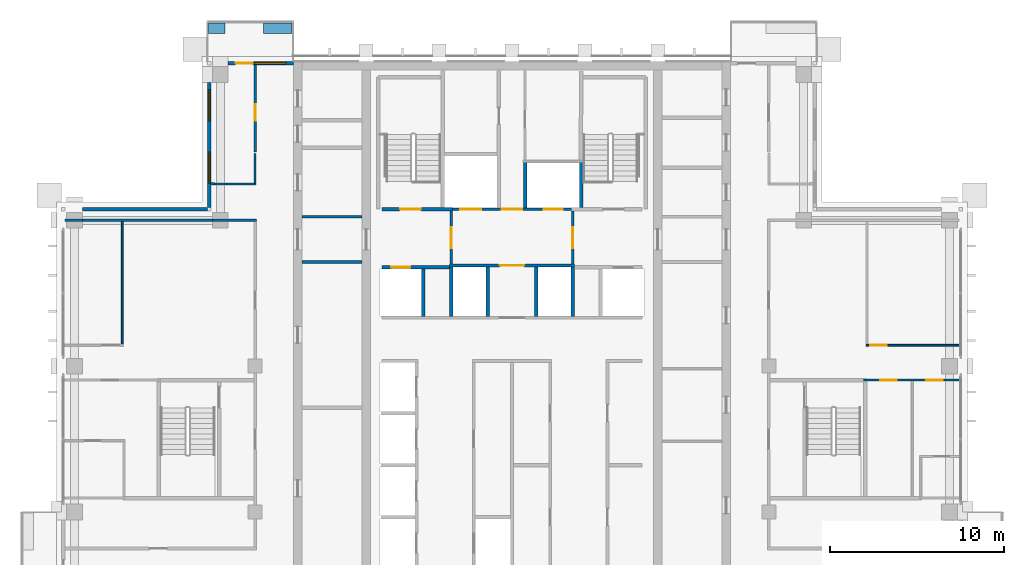
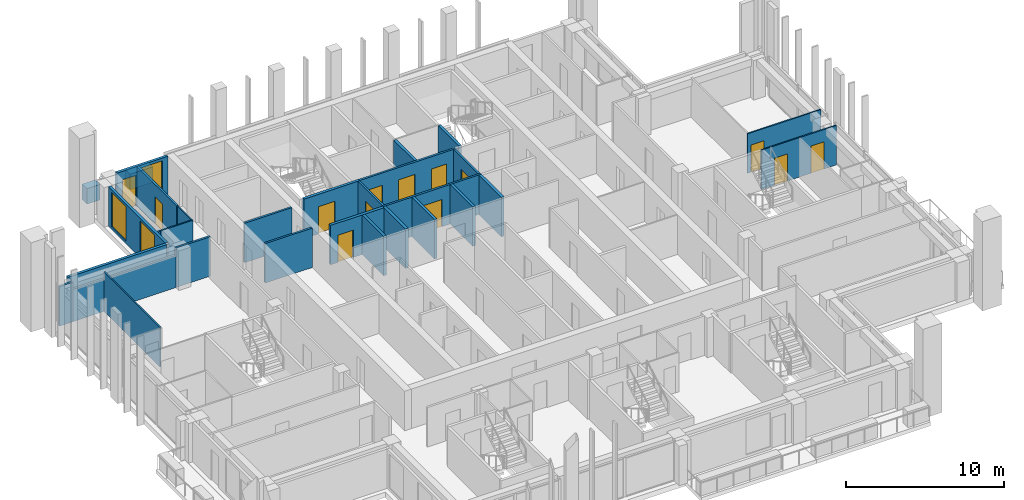
# One storey, part 12 of 18: 30 walls, 13 doors, 3 windows, 16 openings.
"""IFC4 building model written with IfcOpenShell, lengths in metres."""

from ifc_helpers import new_model, si_unit, direction, frame, frame_2d, origin, place, context, subcontext, project, spatial, rectangle, extrude, material, layer, layer_set, type_object, element, fill, save


model = new_model("IFC4")

# Units and contexts
model_context = context("Model", 3, precision=1e-05, world=origin(), true_north=direction((0.0, 1.0)))
body_context = subcontext(model_context, "Body", "Model", "MODEL_VIEW")
ifc_project = project(units=[si_unit("LENGTHUNIT", "METRE"), si_unit("AREAUNIT", "SQUARE_METRE"), si_unit("VOLUMEUNIT", "CUBIC_METRE"), si_unit("PLANEANGLEUNIT", "RADIAN"), si_unit("MASSUNIT", "GRAM", prefix="KILO")], contexts=[model_context])

# Site, building, storey
site_placement = place(None, origin())
site = spatial("IfcSite", under=ifc_project, at=site_placement, CompositionType="ELEMENT")
building_placement = place(site_placement, origin())
building = spatial("IfcBuilding", under=site, at=building_placement, Name="Vermilion Ogive Tower", CompositionType="ELEMENT")
storey_placement = place(building_placement, frame((0.0, 0.0, 254.5)))
storey = spatial("IfcBuildingStorey", under=building, at=storey_placement, Name="L67", CompositionType="ELEMENT", Elevation=254.5)

# Walls
ifc_material_1 = material(Name="Gypsum board partition on steel studs", Category="steel")
ifc_layer_1 = layer(ifc_material_1, 0.10009765625)
ifc_layer_set_1 = layer_set([ifc_layer_1], Name="Partition 100 bath")
wall_type_1 = type_object("IfcWallType", Name="Partition 100 bath", PredefinedType="PARTITIONING", material=ifc_layer_set_1)
wall_1_placement = place(storey_placement, frame((-17.25, 14.699951171875, 0.0), z_axis=(0.0, 0.0, 1.0), x_axis=(1.0, 0.0, 0.0)))
element("IfcWall", 1, at=wall_1_placement, inside=storey, type_object=wall_type_1, Name="L67-W-W033", PredefinedType="PARTITIONING", context=body_context, shape_type="SweptSolid", body=[
    extrude(rectangle(XDim=2.5, YDim=0.10009765625, at=frame_2d((1.25, 0.0))), origin(), (0.0, 0.0, 1.0), 3.050048828125),
])
wall_2_placement = place(storey_placement, frame((-14.800048828125, 14.75, 0.0), z_axis=(0.0, 0.0, 1.0), x_axis=(0.0, 1.0, 0.0)))
element("IfcWall", 2, at=wall_2_placement, inside=storey, type_object=wall_type_1, Name="L67-W-W046", PredefinedType="PARTITIONING", context=body_context, shape_type="SweptSolid", body=[
    extrude(rectangle(XDim=1.699951171875, YDim=0.10009765625, at=frame_2d((0.85009765625, 0.0))), origin(), (0.0, 0.0, 1.0), 3.050048828125),
])

# Wall, openings, doors
ifc_material_2 = material(Name="Gypsum board partition on steel studs", Category="steel")
ifc_layer_2 = layer(ifc_material_2, 0.10009765625)
ifc_layer_set_2 = layer_set([ifc_layer_2], Name="Partition 100 inner")
wall_type_2 = type_object("IfcWallType", Name="Partition 100 inner", PredefinedType="PARTITIONING", material=ifc_layer_set_2)
wall_3_placement = place(storey_placement, frame((20.25, 3.39990234375, 0.0), z_axis=(0.0, 0.0, 1.0), x_axis=(1.0, 0.0, 0.0)))
wall_3 = element("IfcWall", 3, at=wall_3_placement, inside=storey, type_object=wall_type_2, Name="L67-W-W027", PredefinedType="PARTITIONING", context=body_context, shape_type="SweptSolid", body=[
    extrude(rectangle(XDim=5.5, YDim=0.10009765625, at=frame_2d((2.75, 0.0))), origin(), (0.0, 0.0, 1.0), 3.050048828125),
])
opening_1_placement = place(wall_3_placement, frame((3.625, 0.0, 0.0)))
opening_1 = element("IfcOpeningElement", 4, at=opening_1_placement, cuts=wall_3, Name="Opening D5G5014", PredefinedType="OPENING", context=body_context, shape_type="SweptSolid", body=[
    extrude(rectangle(XDim=0.949951171875, YDim=2.10009765625, at=frame_2d((0.47509765625, 1.050048828125))), frame((0.0, 0.06005859375, 0.0), z_axis=(0.0, -1.0, 0.0), x_axis=(1.0, 0.0, 0.0)), (0.0, 0.0, 1.0), 0.1201171875),
])
opening_2_placement = place(wall_3_placement, frame((0.97509765625, 0.0, 0.0)))
opening_2 = element("IfcOpeningElement", 5, at=opening_2_placement, cuts=wall_3, Name="Opening D5G5017", PredefinedType="OPENING", context=body_context, shape_type="SweptSolid", body=[
    extrude(rectangle(XDim=0.949951171875, YDim=2.10009765625, at=frame_2d((0.47509765625, 1.050048828125))), frame((0.0, 0.06005859375, 0.0), z_axis=(0.0, -1.0, 0.0), x_axis=(1.0, 0.0, 0.0)), (0.0, 0.0, 1.0), 0.1201171875),
])
ifc_material_3 = material(Name="Timber door leaf", Category="wood")
door_type_1 = type_object("IfcDoorType", Name="Inner door 950 x 2100 FD30", OperationType="SINGLE_SWING_LEFT", PredefinedType="DOOR", material=ifc_material_3)
door_1_placement = place(opening_1_placement, origin())
door_1 = element("IfcDoor", 6, at=door_1_placement, inside=storey, type_object=door_type_1, Name="L67-D-D014", OperationType="SINGLE_SWING_LEFT", OverallHeight=2.10009765625, OverallWidth=0.949951171875, PredefinedType="DOOR", context=body_context, shape_type="SweptSolid", body=[
    extrude(rectangle(XDim=0.949951171875, YDim=2.10009765625, at=frame_2d((0.47509765625, 1.050048828125))), frame((0.0, 0.02490234375, 0.0), z_axis=(0.0, -1.0, 0.0), x_axis=(1.0, 0.0, 0.0)), (0.0, 0.0, 1.0), 0.050048828125),
])
fill(opening_1, door_1)
door_2_placement = place(opening_2_placement, origin())
door_2 = element("IfcDoor", 7, at=door_2_placement, inside=storey, type_object=door_type_1, Name="L67-D-D017", OperationType="SINGLE_SWING_RIGHT", OverallHeight=2.10009765625, OverallWidth=0.949951171875, PredefinedType="DOOR", context=body_context, shape_type="SweptSolid", body=[
    extrude(rectangle(XDim=0.949951171875, YDim=2.10009765625, at=frame_2d((0.47509765625, 1.050048828125))), frame((0.0, 0.02490234375, 0.0), z_axis=(0.0, -1.0, 0.0), x_axis=(1.0, 0.0, 0.0)), (0.0, 0.0, 1.0), 0.050048828125),
])
fill(opening_2, door_2)

# Wall, opening, door
wall_4_placement = place(storey_placement, frame((20.39990234375, 5.39990234375, 0.0), z_axis=(0.0, 0.0, 1.0), x_axis=(1.0, 0.0, 0.0)))
wall_4 = element("IfcWall", 8, at=wall_4_placement, inside=storey, type_object=wall_type_2, Name="L67-W-W029", PredefinedType="PARTITIONING", context=body_context, shape_type="SweptSolid", body=[
    extrude(rectangle(XDim=5.35009765625, YDim=0.10009765625, at=frame_2d((2.675048828125, 0.0))), origin(), (0.0, 0.0, 1.0), 3.050048828125),
])
opening_3_placement = place(wall_4_placement, frame((0.25, 0.0, 0.0)))
opening_3 = element("IfcOpeningElement", 9, at=opening_3_placement, cuts=wall_4, Name="Opening D5G5015", PredefinedType="OPENING", context=body_context, shape_type="SweptSolid", body=[
    extrude(rectangle(XDim=0.949951171875, YDim=2.10009765625, at=frame_2d((0.47509765625, 1.050048828125))), frame((0.0, 0.06005859375, 0.0), z_axis=(0.0, -1.0, 0.0), x_axis=(1.0, 0.0, 0.0)), (0.0, 0.0, 1.0), 0.1201171875),
])
door_3_placement = place(opening_3_placement, origin())
door_3 = element("IfcDoor", 10, at=door_3_placement, inside=storey, type_object=door_type_1, Name="L67-D-D015", OperationType="SINGLE_SWING_LEFT", OverallHeight=2.10009765625, OverallWidth=0.949951171875, PredefinedType="DOOR", context=body_context, shape_type="SweptSolid", body=[
    extrude(rectangle(XDim=0.949951171875, YDim=2.10009765625, at=frame_2d((0.47509765625, 1.050048828125))), frame((0.0, 0.02490234375, 0.0), z_axis=(0.0, -1.0, 0.0), x_axis=(1.0, 0.0, 0.0)), (0.0, 0.0, 1.0), 0.050048828125),
])
fill(opening_3, door_3)

# Walls
wall_5_placement = place(storey_placement, frame((-22.449951171875, 5.449951171875, 0.0), z_axis=(0.0, 0.0, 1.0), x_axis=(0.0, 1.0, 0.0)))
element("IfcWall", 11, at=wall_5_placement, inside=storey, type_object=wall_type_2, Name="L67-W-W038", PredefinedType="PARTITIONING", context=body_context, shape_type="SweptSolid", body=[
    extrude(rectangle(XDim=7.074951171875, YDim=0.10009765625, at=frame_2d((3.53759765625, 0.0))), origin(), (0.0, 0.0, 1.0), 3.050048828125),
])
ifc_material_4 = material(Name="Gypsum board partition on steel studs", Category="steel")
ifc_layer_3 = layer(ifc_material_4, 0.14990234375)
ifc_layer_set_3 = layer_set([ifc_layer_3], Name="Partition 150 corridor")
wall_type_3 = type_object("IfcWallType", Name="Partition 150 corridor", PredefinedType="PARTITIONING", material=ifc_layer_set_3)
wall_6_placement = place(storey_placement, frame((-25.75, 12.60009765625, 0.0), z_axis=(0.0, 0.0, 1.0), x_axis=(1.0, 0.0, 0.0)))
element("IfcWall", 12, at=wall_6_placement, inside=storey, type_object=wall_type_3, Name="L67-W-W030", PredefinedType="PARTITIONING", context=body_context, shape_type="SweptSolid", body=[
    extrude(rectangle(XDim=1.0, YDim=0.14990234375, at=frame_2d((0.5, 0.0))), origin(), (0.0, 0.0, 1.0), 3.050048828125),
])
wall_7_placement = place(storey_placement, frame((-17.35009765625, 14.699951171875, 0.0), z_axis=(0.0, 0.0, 1.0), x_axis=(1.0, 0.0, 0.0)))
element("IfcWall", 13, at=wall_7_placement, inside=storey, type_object=wall_type_3, Name="L67-W-W032", PredefinedType="PARTITIONING", context=body_context, shape_type="SweptSolid", body=[
    extrude(rectangle(XDim=0.2001953125, YDim=0.14990234375, at=frame_2d((0.10009765625, 0.0))), origin(), (0.0, 0.0, 1.0), 3.050048828125),
])

# Wall, opening, door
wall_8_placement = place(storey_placement, frame((-14.800048828125, 16.550048828125, 0.0), z_axis=(0.0, 0.0, 1.0), x_axis=(0.0, 1.0, 0.0)))
wall_8 = element("IfcWall", 14, at=wall_8_placement, inside=storey, type_object=wall_type_3, Name="L67-W-W047", PredefinedType="PARTITIONING", context=body_context, shape_type="SweptSolid", body=[
    extrude(rectangle(XDim=5.0, YDim=0.14990234375, at=frame_2d((2.5, 0.0))), origin(), (0.0, 0.0, 1.0), 3.050048828125),
])
opening_4_placement = place(wall_8_placement, frame((1.800048828125, 0.0, 0.0)))
opening_4 = element("IfcOpeningElement", 15, at=opening_4_placement, cuts=wall_8, Name="Opening D5G5007", PredefinedType="OPENING", context=body_context, shape_type="SweptSolid", body=[
    extrude(rectangle(XDim=0.949951171875, YDim=2.10009765625, at=frame_2d((0.47509765625, 1.050048828125))), frame((0.0, 0.0849609375, 0.0), z_axis=(0.0, -1.0, 0.0), x_axis=(1.0, 0.0, 0.0)), (0.0, 0.0, 1.0), 0.169921875),
])
ifc_material_5 = material(Name="Timber door leaf", Category="wood")
door_type_2 = type_object("IfcDoorType", Name="Unit door 950 x 2100 FD30S", OperationType="SINGLE_SWING_LEFT", PredefinedType="DOOR", material=ifc_material_5)
door_4_placement = place(opening_4_placement, origin())
door_4 = element("IfcDoor", 16, at=door_4_placement, inside=storey, type_object=door_type_2, Name="L67-D-D007", OperationType="SINGLE_SWING_RIGHT", OverallHeight=2.10009765625, OverallWidth=0.949951171875, PredefinedType="DOOR", context=body_context, shape_type="SweptSolid", body=[
    extrude(rectangle(XDim=0.949951171875, YDim=2.10009765625, at=frame_2d((0.47509765625, 1.050048828125))), frame((0.0, 0.02490234375, 0.0), z_axis=(0.0, -1.0, 0.0), x_axis=(1.0, 0.0, 0.0)), (0.0, 0.0, 1.0), 0.050048828125),
])
fill(opening_4, door_4)

wall_9_placement = place(storey_placement, frame((-3.60009765625, 10.0, 0.0), z_axis=(0.0, 0.0, 1.0), x_axis=(1.0, 0.0, 0.0)))
wall_9 = element("IfcWall", 17, at=wall_9_placement, inside=storey, type_object=wall_type_3, Name="L67-CK-W-W013", PredefinedType="PARTITIONING", context=body_context, shape_type="SweptSolid", body=[
    extrude(rectangle(XDim=7.2001953125, YDim=0.14990234375, at=frame_2d((3.60009765625, 0.0))), origin(), (0.0, 0.0, 1.0), 3.050048828125),
])
opening_5_placement = place(wall_9_placement, frame((2.900146484375, 0.0, 0.0)))
opening_5 = element("IfcOpeningElement", 18, at=opening_5_placement, cuts=wall_9, Name="Opening DAA636", PredefinedType="OPENING", context=body_context, shape_type="SweptSolid", body=[
    extrude(rectangle(XDim=1.39990234375, YDim=2.10009765625, at=frame_2d((0.699951171875, 1.050048828125))), frame((0.0, 0.0849609375, 0.0), z_axis=(0.0, -1.0, 0.0), x_axis=(1.0, 0.0, 0.0)), (0.0, 0.0, 1.0), 0.169921875),
])
ifc_material_6 = material(Name="Timber door leaf", Category="wood")
door_type_3 = type_object("IfcDoorType", Name="Lobby door 1400 x 2100 FD60S", OperationType="SINGLE_SWING_LEFT", PredefinedType="DOOR", material=ifc_material_6)
door_5_placement = place(opening_5_placement, origin())
door_5 = element("IfcDoor", 19, at=door_5_placement, inside=storey, type_object=door_type_3, Name="L67-CK-D-D016", OperationType="SINGLE_SWING_RIGHT", OverallHeight=2.10009765625, OverallWidth=1.39990234375, PredefinedType="DOOR", context=body_context, shape_type="SweptSolid", body=[
    extrude(rectangle(XDim=1.39990234375, YDim=2.10009765625, at=frame_2d((0.699951171875, 1.050048828125))), frame((0.0, 0.02490234375, 0.0), z_axis=(0.0, -1.0, 0.0), x_axis=(1.0, 0.0, 0.0)), (0.0, 0.0, 1.0), 0.050048828125),
])
fill(opening_5, door_5)

# Wall, openings, doors
wall_10_placement = place(storey_placement, frame((-3.574951171875, 13.25, 0.0), z_axis=(0.0, 0.0, 1.0), x_axis=(1.0, 0.0, 0.0)))
wall_10 = element("IfcWall", 20, at=wall_10_placement, inside=storey, type_object=wall_type_3, Name="L67-CK-W-W015", PredefinedType="PARTITIONING", context=body_context, shape_type="SweptSolid", body=[
    extrude(rectangle(XDim=7.14990234375, YDim=0.14990234375, at=frame_2d((3.574951171875, 0.0))), origin(), (0.0, 0.0, 1.0), 3.050048828125),
])
opening_6_placement = place(wall_10_placement, frame((0.599853515625, 0.0, 0.0)))
opening_6 = element("IfcOpeningElement", 21, at=opening_6_placement, cuts=wall_10, Name="Opening DAA655", PredefinedType="OPENING", context=body_context, shape_type="SweptSolid", body=[
    extrude(rectangle(XDim=1.199951171875, YDim=2.10009765625, at=frame_2d((0.60009765625, 1.050048828125))), frame((0.0, 0.0849609375, 0.0), z_axis=(0.0, -1.0, 0.0), x_axis=(1.0, 0.0, 0.0)), (0.0, 0.0, 1.0), 0.169921875),
])
opening_7_placement = place(wall_10_placement, frame((5.39990234375, 0.0, 0.0)))
opening_7 = element("IfcOpeningElement", 22, at=opening_7_placement, cuts=wall_10, Name="Opening DAA654", PredefinedType="OPENING", context=body_context, shape_type="SweptSolid", body=[
    extrude(rectangle(XDim=1.10009765625, YDim=2.10009765625, at=frame_2d((0.550048828125, 1.050048828125))), frame((0.0, 0.0849609375, 0.0), z_axis=(0.0, -1.0, 0.0), x_axis=(1.0, 0.0, 0.0)), (0.0, 0.0, 1.0), 0.169921875),
])
opening_8_placement = place(wall_10_placement, frame((2.974853515625, 0.0, 0.0)))
opening_8 = element("IfcOpeningElement", 23, at=opening_8_placement, cuts=wall_10, Name="Opening DAA637", PredefinedType="OPENING", context=body_context, shape_type="SweptSolid", body=[
    extrude(rectangle(XDim=1.199951171875, YDim=2.10009765625, at=frame_2d((0.60009765625, 1.050048828125))), frame((0.0, 0.0849609375, 0.0), z_axis=(0.0, -1.0, 0.0), x_axis=(1.0, 0.0, 0.0)), (0.0, 0.0, 1.0), 0.169921875),
])
ifc_material_7 = material(Name="Stainless steel", Category="steel")
door_type_4 = type_object("IfcDoorType", Name="Lift landing door 1100 x 2100", OperationType="SLIDING_TO_LEFT", PredefinedType="DOOR", material=ifc_material_7)
door_6_placement = place(opening_7_placement, origin())
door_6 = element("IfcDoor", 24, at=door_6_placement, inside=storey, type_object=door_type_4, Name="L67-CK-D-D018", OperationType="SLIDING_TO_LEFT", OverallHeight=2.10009765625, OverallWidth=1.10009765625, PredefinedType="DOOR", context=body_context, shape_type="SweptSolid", body=[
    extrude(rectangle(XDim=1.10009765625, YDim=2.10009765625, at=frame_2d((0.550048828125, 1.050048828125))), frame((0.0, 0.02490234375, 0.0), z_axis=(0.0, -1.0, 0.0), x_axis=(1.0, 0.0, 0.0)), (0.0, 0.0, 1.0), 0.050048828125),
])
fill(opening_7, door_6)
ifc_material_8 = material(Name="Stainless steel", Category="steel")
door_type_5 = type_object("IfcDoorType", Name="Lift landing door 1200 x 2100", OperationType="SLIDING_TO_LEFT", PredefinedType="DOOR", material=ifc_material_8)
door_7_placement = place(opening_6_placement, origin())
door_7 = element("IfcDoor", 25, at=door_7_placement, inside=storey, type_object=door_type_5, Name="L67-CK-D-D017", OperationType="SLIDING_TO_RIGHT", OverallHeight=2.10009765625, OverallWidth=1.199951171875, PredefinedType="DOOR", context=body_context, shape_type="SweptSolid", body=[
    extrude(rectangle(XDim=1.199951171875, YDim=2.10009765625, at=frame_2d((0.60009765625, 1.050048828125))), frame((0.0, 0.02490234375, 0.0), z_axis=(0.0, -1.0, 0.0), x_axis=(1.0, 0.0, 0.0)), (0.0, 0.0, 1.0), 0.050048828125),
])
fill(opening_6, door_7)
ifc_material_9 = material(Name="Timber door leaf", Category="wood")
door_type_6 = type_object("IfcDoorType", Name="Service door 1200 x 2100 FD60", OperationType="SINGLE_SWING_LEFT", PredefinedType="DOOR", material=ifc_material_9)
door_8_placement = place(opening_8_placement, origin())
door_8 = element("IfcDoor", 26, at=door_8_placement, inside=storey, type_object=door_type_6, Name="L67-CK-D-D019", OperationType="SINGLE_SWING_RIGHT", OverallHeight=2.10009765625, OverallWidth=1.199951171875, PredefinedType="DOOR", context=body_context, shape_type="SweptSolid", body=[
    extrude(rectangle(XDim=1.199951171875, YDim=2.10009765625, at=frame_2d((0.60009765625, 1.050048828125))), frame((0.0, 0.02490234375, 0.0), z_axis=(0.0, -1.0, 0.0), x_axis=(1.0, 0.0, 0.0)), (0.0, 0.0, 1.0), 0.050048828125),
])
fill(opening_8, door_8)

# Wall, opening, door
wall_11_placement = place(storey_placement, frame((-3.5, 10.074951171875, 0.0), z_axis=(0.0, 0.0, 1.0), x_axis=(0.0, 1.0, 0.0)))
wall_11 = element("IfcWall", 27, at=wall_11_placement, inside=storey, type_object=wall_type_3, Name="L67-CK-W-W023", PredefinedType="PARTITIONING", context=body_context, shape_type="SweptSolid", body=[
    extrude(rectangle(XDim=3.074951171875, YDim=0.14990234375, at=frame_2d((1.53759765625, 0.0))), origin(), (0.0, 0.0, 1.0), 3.050048828125),
])
opening_9_placement = place(wall_11_placement, frame((0.925048828125, 0.0, 0.0)))
opening_9 = element("IfcOpeningElement", 28, at=opening_9_placement, cuts=wall_11, Name="Opening DAA633", PredefinedType="OPENING", context=body_context, shape_type="SweptSolid", body=[
    extrude(rectangle(XDim=1.199951171875, YDim=2.10009765625, at=frame_2d((0.60009765625, 1.050048828125))), frame((0.0, 0.0849609375, 0.0), z_axis=(0.0, -1.0, 0.0), x_axis=(1.0, 0.0, 0.0)), (0.0, 0.0, 1.0), 0.169921875),
])
ifc_material_10 = material(Name="Timber door leaf", Category="wood")
door_type_7 = type_object("IfcDoorType", Name="Lobby door 1200 x 2100 FD60S", OperationType="SINGLE_SWING_LEFT", PredefinedType="DOOR", material=ifc_material_10)
door_9_placement = place(opening_9_placement, origin())
door_9 = element("IfcDoor", 29, at=door_9_placement, inside=storey, type_object=door_type_7, Name="L67-CK-D-D022", OperationType="SINGLE_SWING_RIGHT", OverallHeight=2.10009765625, OverallWidth=1.199951171875, PredefinedType="DOOR", context=body_context, shape_type="SweptSolid", body=[
    extrude(rectangle(XDim=1.199951171875, YDim=2.10009765625, at=frame_2d((0.60009765625, 1.050048828125))), frame((0.0, 0.02490234375, 0.0), z_axis=(0.0, -1.0, 0.0), x_axis=(1.0, 0.0, 0.0)), (0.0, 0.0, 1.0), 0.050048828125),
])
fill(opening_9, door_9)

wall_12_placement = place(storey_placement, frame((3.5, 10.074951171875, 0.0), z_axis=(0.0, 0.0, 1.0), x_axis=(0.0, 1.0, 0.0)))
wall_12 = element("IfcWall", 30, at=wall_12_placement, inside=storey, type_object=wall_type_3, Name="L67-CK-W-W033", PredefinedType="PARTITIONING", context=body_context, shape_type="SweptSolid", body=[
    extrude(rectangle(XDim=3.074951171875, YDim=0.14990234375, at=frame_2d((1.53759765625, 0.0))), origin(), (0.0, 0.0, 1.0), 3.050048828125),
])
opening_10_placement = place(wall_12_placement, frame((0.925048828125, 0.0, 0.0)))
opening_10 = element("IfcOpeningElement", 31, at=opening_10_placement, cuts=wall_12, Name="Opening DAA634", PredefinedType="OPENING", context=body_context, shape_type="SweptSolid", body=[
    extrude(rectangle(XDim=1.199951171875, YDim=2.10009765625, at=frame_2d((0.60009765625, 1.050048828125))), frame((0.0, 0.0849609375, 0.0), z_axis=(0.0, -1.0, 0.0), x_axis=(1.0, 0.0, 0.0)), (0.0, 0.0, 1.0), 0.169921875),
])
door_10_placement = place(opening_10_placement, origin())
door_10 = element("IfcDoor", 32, at=door_10_placement, inside=storey, type_object=door_type_7, Name="L67-CK-D-D023", OperationType="SINGLE_SWING_LEFT", OverallHeight=2.10009765625, OverallWidth=1.199951171875, PredefinedType="DOOR", context=body_context, shape_type="SweptSolid", body=[
    extrude(rectangle(XDim=1.199951171875, YDim=2.10009765625, at=frame_2d((0.60009765625, 1.050048828125))), frame((0.0, 0.02490234375, 0.0), z_axis=(0.0, -1.0, 0.0), x_axis=(1.0, 0.0, 0.0)), (0.0, 0.0, 1.0), 0.050048828125),
])
fill(opening_10, door_10)

# Walls
for number, where, z_axis, x_axis, name in (
    (33, (-12.09912109375, 10.199951171875, 0.0), (0.0, 0.0, 1.0), (1.0, 0.0, 0.0), "L67-CKW-W-W002"),
    (34, (-12.09912109375, 12.800048828125, 0.0), (0.0, 0.0, 1.0), (1.0, 0.0, 0.0), "L67-CKW-W-W003"),
):
    element("IfcWall", number, at=place(storey_placement, frame(where, z_axis=z_axis, x_axis=x_axis)), inside=storey, type_object=wall_type_3, Name=name, PredefinedType="PARTITIONING", context=body_context, shape_type="SweptSolid", body=[
        extrude(rectangle(XDim=3.4482421875, YDim=0.14990234375, at=frame_2d((1.72412109375, 0.0))), origin(), (0.0, 0.0, 1.0), 3.050048828125),
    ])
wall_13_placement = place(storey_placement, frame((-24.75, 12.60009765625, 0.0), z_axis=(0.0, 0.0, 1.0), x_axis=(1.0, 0.0, 0.0)))
element("IfcWall", 35, at=wall_13_placement, inside=storey, type_object=wall_type_3, Name="L67-W-W030-h1", PredefinedType="PARTITIONING", context=body_context, shape_type="SweptSolid", body=[
    extrude(rectangle(XDim=7.5, YDim=0.14990234375, at=frame_2d((3.75, 0.0))), origin(), (0.0, 0.0, 1.0), 2.5),
])
wall_14_placement = place(storey_placement, frame((-17.25, 12.60009765625, 0.0), z_axis=(0.0, 0.0, 1.0), x_axis=(1.0, 0.0, 0.0)))
element("IfcWall", 36, at=wall_14_placement, inside=storey, type_object=wall_type_3, Name="L67-W-W030-h2", PredefinedType="PARTITIONING", context=body_context, shape_type="SweptSolid", body=[
    extrude(rectangle(XDim=2.52490234375, YDim=0.14990234375, at=frame_2d((1.262451171875, 0.0))), origin(), (0.0, 0.0, 1.0), 3.050048828125),
])

# Wall, opening, door
ifc_material_11 = material(Name="Gypsum board partition on steel studs", Category="steel")
ifc_layer_4 = layer(ifc_material_11, 0.199951171875)
ifc_layer_set_4 = layer_set([ifc_layer_4], Name="Partition 200 party")
wall_type_4 = type_object("IfcWallType", Name="Partition 200 party", PredefinedType="PARTITIONING", material=ifc_layer_set_4)
wall_15_placement = place(storey_placement, frame((-7.5, 9.89990234375, 0.0), z_axis=(0.0, 0.0, 1.0), x_axis=(1.0, 0.0, 0.0)))
wall_15 = element("IfcWall", 37, at=wall_15_placement, inside=storey, type_object=wall_type_4, Name="L67-CK-W-W011", PredefinedType="PARTITIONING", context=body_context, shape_type="SweptSolid", body=[
    extrude(rectangle(XDim=3.89990234375, YDim=0.199951171875, at=frame_2d((1.949951171875, 0.0))), origin(), (0.0, 0.0, 1.0), 3.050048828125),
])
opening_11_placement = place(wall_15_placement, frame((0.550048828125, 0.0, 0.0)))
opening_11 = element("IfcOpeningElement", 38, at=opening_11_placement, cuts=wall_15, Name="Opening DAA652", PredefinedType="OPENING", context=body_context, shape_type="SweptSolid", body=[
    extrude(rectangle(XDim=1.10009765625, YDim=2.10009765625, at=frame_2d((0.550048828125, 1.050048828125))), frame((0.0, 0.10986328125, 0.0), z_axis=(0.0, -1.0, 0.0), x_axis=(1.0, 0.0, 0.0)), (0.0, 0.0, 1.0), 0.219970703125),
])
door_11_placement = place(opening_11_placement, origin())
door_11 = element("IfcDoor", 39, at=door_11_placement, inside=storey, type_object=door_type_4, Name="L67-CK-D-D012", OperationType="SLIDING_TO_RIGHT", OverallHeight=2.10009765625, OverallWidth=1.10009765625, PredefinedType="DOOR", context=body_context, shape_type="SweptSolid", body=[
    extrude(rectangle(XDim=1.10009765625, YDim=2.10009765625, at=frame_2d((0.550048828125, 1.050048828125))), frame((0.0, 0.02490234375, 0.0), z_axis=(0.0, -1.0, 0.0), x_axis=(1.0, 0.0, 0.0)), (0.0, 0.0, 1.0), 0.050048828125),
])
fill(opening_11, door_11)

# Walls
wall_16_placement = place(storey_placement, frame((-5.10009765625, 7.074951171875, 0.0), z_axis=(0.0, 0.0, 1.0), x_axis=(0.0, 1.0, 0.0)))
element("IfcWall", 40, at=wall_16_placement, inside=storey, type_object=wall_type_4, Name="L67-CK-W-W020", PredefinedType="PARTITIONING", context=body_context, shape_type="SweptSolid", body=[
    extrude(rectangle(XDim=2.72509765625, YDim=0.199951171875, at=frame_2d((1.362548828125, 0.0))), origin(), (0.0, 0.0, 1.0), 3.050048828125),
])
for number, where, z_axis, x_axis, name in (
    (41, (-3.5, 7.074951171875, 0.0), (0.0, 0.0, 1.0), (0.0, 1.0, 0.0), "L67-CK-W-W022"),
    (42, (-1.39990234375, 7.074951171875, 0.0), (0.0, 0.0, 1.0), (0.0, 1.0, 0.0), "L67-CK-W-W025"),
):
    element("IfcWall", number, at=place(storey_placement, frame(where, z_axis=z_axis, x_axis=x_axis)), inside=storey, type_object=wall_type_4, Name=name, PredefinedType="PARTITIONING", context=body_context, shape_type="SweptSolid", body=[
        extrude(rectangle(XDim=2.85009765625, YDim=0.199951171875, at=frame_2d((1.425048828125, 0.0))), origin(), (0.0, 0.0, 1.0), 3.050048828125),
    ])
wall_17_placement = place(storey_placement, frame((0.75, 13.324951171875, 0.0), z_axis=(0.0, 0.0, 1.0), x_axis=(0.0, 1.0, 0.0)))
element("IfcWall", 43, at=wall_17_placement, inside=storey, type_object=wall_type_4, Name="L67-CK-W-W028", PredefinedType="PARTITIONING", context=body_context, shape_type="SweptSolid", body=[
    extrude(rectangle(XDim=2.625, YDim=0.199951171875, at=frame_2d((1.3125, 0.0))), origin(), (0.0, 0.0, 1.0), 3.050048828125),
])
for number, where, z_axis, x_axis, name in (
    (44, (1.39990234375, 7.074951171875, 0.0), (0.0, 0.0, 1.0), (0.0, 1.0, 0.0), "L67-CK-W-W030"),
    (45, (3.5, 7.074951171875, 0.0), (0.0, 0.0, 1.0), (0.0, 1.0, 0.0), "L67-CK-W-W032"),
):
    element("IfcWall", number, at=place(storey_placement, frame(where, z_axis=z_axis, x_axis=x_axis)), inside=storey, type_object=wall_type_4, Name=name, PredefinedType="PARTITIONING", context=body_context, shape_type="SweptSolid", body=[
        extrude(rectangle(XDim=2.85009765625, YDim=0.199951171875, at=frame_2d((1.425048828125, 0.0))), origin(), (0.0, 0.0, 1.0), 3.050048828125),
    ])

# Wall, opening, door
ifc_material_12 = material(Name="Concrete B60", Category="concrete")
ifc_layer_5 = layer(ifc_material_12, 0.199951171875)
ifc_layer_set_5 = layer_set([ifc_layer_5], Name="Stair shaft wall 200 Concrete B60")
wall_type_5 = type_object("IfcWallType", Name="Stair shaft wall 200 Concrete B60", PredefinedType="SOLIDWALL", material=ifc_layer_set_5)
wall_18_placement = place(storey_placement, frame((-7.5, 13.25, 0.0), z_axis=(0.0, 0.0, 1.0), x_axis=(1.0, 0.0, 0.0)))
wall_18 = element("IfcWall", 46, at=wall_18_placement, inside=storey, type_object=wall_type_5, Name="L67-CK-W-W014", PredefinedType="SOLIDWALL", context=body_context, shape_type="SweptSolid", body=[
    extrude(rectangle(XDim=4.074951171875, YDim=0.199951171875, at=frame_2d((2.03759765625, 0.0))), origin(), (0.0, 0.0, 1.0), 3.050048828125),
])
opening_12_placement = place(wall_18_placement, frame((1.050048828125, 0.0, 0.0)))
opening_12 = element("IfcOpeningElement", 47, at=opening_12_placement, cuts=wall_18, Name="Opening DAA645", PredefinedType="OPENING", context=body_context, shape_type="SweptSolid", body=[
    extrude(rectangle(XDim=1.199951171875, YDim=2.10009765625, at=frame_2d((0.60009765625, 1.050048828125))), frame((0.0, 0.10986328125, 0.0), z_axis=(0.0, -1.0, 0.0), x_axis=(1.0, 0.0, 0.0)), (0.0, 0.0, 1.0), 0.219970703125),
])
ifc_material_13 = material(Name="Timber door leaf", Category="wood")
door_type_8 = type_object("IfcDoorType", Name="Stair door 1200 x 2100 FD60S", OperationType="SINGLE_SWING_LEFT", PredefinedType="DOOR", material=ifc_material_13)
door_12_placement = place(opening_12_placement, origin())
door_12 = element("IfcDoor", 48, at=door_12_placement, inside=storey, type_object=door_type_8, Name="L67-CK-D-D011", OperationType="SINGLE_SWING_LEFT", OverallHeight=2.10009765625, OverallWidth=1.199951171875, PredefinedType="DOOR", context=body_context, shape_type="SweptSolid", body=[
    extrude(rectangle(XDim=1.199951171875, YDim=2.10009765625, at=frame_2d((0.60009765625, 1.050048828125))), frame((0.0, 0.02490234375, 0.0), z_axis=(0.0, -1.0, 0.0), x_axis=(1.0, 0.0, 0.0)), (0.0, 0.0, 1.0), 0.050048828125),
])
fill(opening_12, door_12)

# Walls
wall_19_placement = place(storey_placement, frame((4.0, 13.35009765625, 0.0), z_axis=(0.0, 0.0, 1.0), x_axis=(0.0, 1.0, 0.0)))
element("IfcWall", 49, at=wall_19_placement, inside=storey, type_object=wall_type_5, Name="L67-CK-W-W034", PredefinedType="SOLIDWALL", context=body_context, shape_type="SweptSolid", body=[
    extrude(rectangle(XDim=2.599853515625, YDim=0.199951171875, at=frame_2d((1.2998046875, 0.0))), origin(), (0.0, 0.0, 1.0), 3.050048828125),
])
ifc_material_14 = material(Name="Concrete B40", Category="concrete")
ifc_layer_6 = layer(ifc_material_14, 0.60009765625)
ifc_layer_set_6 = layer_set([ifc_layer_6], Name="Structural planter")
wall_type_6 = type_object("IfcWallType", Name="Structural planter", PredefinedType="USERDEFINED", material=ifc_layer_set_6)
wall_20_placement = place(storey_placement, frame((-12.659912109375, 23.660888671875, -0.0400390625), z_axis=(0.0, 0.0, 1.0), x_axis=(-1.0, 0.0, 0.0)))
element("IfcWall", 50, at=wall_20_placement, inside=storey, type_object=wall_type_6, Name="Planter N201A1", ObjectType="PLANTER", PredefinedType="USERDEFINED", context=body_context, shape_type="SweptSolid", body=[
    extrude(rectangle(XDim=1.6650390625, YDim=0.60009765625, at=frame_2d((0.83251953125, 0.0))), origin(), (0.0, 0.0, 1.0), 1.199951171875),
])
wall_21_placement = place(storey_placement, frame((-16.52490234375, 23.660888671875, -0.0400390625), z_axis=(0.0, 0.0, 1.0), x_axis=(-1.0, 0.0, 0.0)))
element("IfcWall", 51, at=wall_21_placement, inside=storey, type_object=wall_type_6, Name="Planter N201A2", ObjectType="PLANTER", PredefinedType="USERDEFINED", context=body_context, shape_type="SweptSolid", body=[
    extrude(rectangle(XDim=0.965087890625, YDim=0.60009765625, at=frame_2d((0.482421875, 0.0))), origin(), (0.0, 0.0, 1.0), 1.199951171875),
])

# Wall, openings, door, window
ifc_material_15 = material(Name="Aluminium window wall framing", Category="aluminium")
ifc_layer_7 = layer(ifc_material_15, 0.199951171875)
ifc_layer_set_7 = layer_set([ifc_layer_7], Name="Window wall")
wall_type_7 = type_object("IfcWallType", Name="Window wall", PredefinedType="STANDARD", material=ifc_layer_set_7)
wall_22_placement = place(storey_placement, frame((-12.60009765625, 21.64990234375, 0.0), z_axis=(0.0, 0.0, 1.0), x_axis=(-1.0, 0.0, 0.0)))
wall_22 = element("IfcWall", 52, at=wall_22_placement, inside=storey, type_object=wall_type_7, Name="Window wall N21", PredefinedType="STANDARD", context=body_context, shape_type="SweptSolid", body=[
    extrude(rectangle(XDim=3.75, YDim=0.199951171875, at=frame_2d((1.875, 0.0))), origin(), (0.0, 0.0, 1.0), 3.050048828125),
])
opening_13_placement = place(wall_22_placement, frame((0.425048828125, 0.0, 0.199951171875)))
opening_13 = element("IfcOpeningElement", 53, at=opening_13_placement, cuts=wall_22, Name="Opening W1-N296", PredefinedType="OPENING", context=body_context, shape_type="SweptSolid", body=[
    extrude(rectangle(XDim=1.800048828125, YDim=2.64990234375, at=frame_2d((0.89990234375, 1.324951171875))), frame((0.0, 0.10986328125, 0.0), z_axis=(0.0, -1.0, 0.0), x_axis=(1.0, 0.0, 0.0)), (0.0, 0.0, 1.0), 0.219970703125),
])
opening_14_placement = place(wall_22_placement, frame((2.324951171875, 0.0, 0.0)))
opening_14 = element("IfcOpeningElement", 54, at=opening_14_placement, cuts=wall_22, Name="Opening D1-N296", PredefinedType="OPENING", context=body_context, shape_type="SweptSolid", body=[
    extrude(rectangle(XDim=1.0, YDim=2.39990234375, at=frame_2d((0.5, 1.199951171875))), frame((0.0, 0.10986328125, 0.0), z_axis=(0.0, -1.0, 0.0), x_axis=(1.0, 0.0, 0.0)), (0.0, 0.0, 1.0), 0.219970703125),
])
ifc_material_16 = material(Name="Aluminium framed glazed door", Category="aluminium")
door_type_9 = type_object("IfcDoorType", Name="Balcony door D1", OperationType="SINGLE_SWING_LEFT", PredefinedType="DOOR", material=ifc_material_16)
door_13_placement = place(opening_14_placement, origin())
door_13 = element("IfcDoor", 55, at=door_13_placement, inside=storey, type_object=door_type_9, Name="Balcony door N296", OperationType="SINGLE_SWING_LEFT", OverallHeight=2.39990234375, OverallWidth=1.0, PredefinedType="DOOR", context=body_context, shape_type="SweptSolid", body=[
    extrude(rectangle(XDim=1.0, YDim=2.39990234375, at=frame_2d((0.5, 1.199951171875))), frame((0.0, 0.02490234375, 0.0), z_axis=(0.0, -1.0, 0.0), x_axis=(1.0, 0.0, 0.0)), (0.0, 0.0, 1.0), 0.050048828125),
])
fill(opening_14, door_13)
ifc_material_17 = material(Name="Aluminium framed double glazing", Category="aluminium")
window_type = type_object("IfcWindowType", Name="Guest window W1", PartitioningType="SINGLE_PANEL", PredefinedType="WINDOW", material=ifc_material_17)
window_1_placement = place(opening_13_placement, origin())
window_1 = element("IfcWindow", 56, at=window_1_placement, inside=storey, type_object=window_type, Name="Window N296", OverallHeight=2.64990234375, OverallWidth=1.800048828125, PartitioningType="SINGLE_PANEL", PredefinedType="WINDOW", context=body_context, shape_type="SweptSolid", body=[
    extrude(rectangle(XDim=1.800048828125, YDim=2.64990234375, at=frame_2d((0.89990234375, 1.324951171875))), frame((0.0, 0.030029296875, 0.0), z_axis=(0.0, -1.0, 0.0), x_axis=(1.0, 0.0, 0.0)), (0.0, 0.0, 1.0), 0.06005859375),
])
fill(opening_13, window_1)

# Wall, openings, windows
wall_23_placement = place(storey_placement, frame((-17.449951171875, 20.550048828125, 0.0), z_axis=(0.0, 0.0, 1.0), x_axis=(0.0, -1.0, 0.0)))
wall_23 = element("IfcWall", 57, at=wall_23_placement, inside=storey, type_object=wall_type_7, Name="Window wall X51", PredefinedType="STANDARD", context=body_context, shape_type="SweptSolid", body=[
    extrude(rectangle(XDim=7.199951171875, YDim=0.199951171875, at=frame_2d((3.60009765625, 0.0))), origin(), (0.0, 0.0, 1.0), 3.050048828125),
])
opening_15_placement = place(wall_23_placement, frame((4.02490234375, 0.0, 0.199951171875)))
opening_15 = element("IfcOpeningElement", 58, at=opening_15_placement, cuts=wall_23, Name="Opening W1-X503", PredefinedType="OPENING", context=body_context, shape_type="SweptSolid", body=[
    extrude(rectangle(XDim=1.800048828125, YDim=2.64990234375, at=frame_2d((0.89990234375, 1.324951171875))), frame((0.0, 0.10986328125, 0.0), z_axis=(0.0, -1.0, 0.0), x_axis=(1.0, 0.0, 0.0)), (0.0, 0.0, 1.0), 0.219970703125),
])
opening_16_placement = place(wall_23_placement, frame((0.425048828125, 0.0, 0.199951171875)))
opening_16 = element("IfcOpeningElement", 59, at=opening_16_placement, cuts=wall_23, Name="Opening W1-X504", PredefinedType="OPENING", context=body_context, shape_type="SweptSolid", body=[
    extrude(rectangle(XDim=1.800048828125, YDim=2.64990234375, at=frame_2d((0.89990234375, 1.324951171875))), frame((0.0, 0.10986328125, 0.0), z_axis=(0.0, -1.0, 0.0), x_axis=(1.0, 0.0, 0.0)), (0.0, 0.0, 1.0), 0.219970703125),
])
window_2_placement = place(opening_15_placement, origin())
window_2 = element("IfcWindow", 60, at=window_2_placement, inside=storey, type_object=window_type, Name="Window X503", OverallHeight=2.64990234375, OverallWidth=1.800048828125, PartitioningType="SINGLE_PANEL", PredefinedType="WINDOW", context=body_context, shape_type="SweptSolid", body=[
    extrude(rectangle(XDim=1.800048828125, YDim=2.64990234375, at=frame_2d((0.89990234375, 1.324951171875))), frame((0.0, 0.030029296875, 0.0), z_axis=(0.0, -1.0, 0.0), x_axis=(1.0, 0.0, 0.0)), (0.0, 0.0, 1.0), 0.06005859375),
])
fill(opening_15, window_2)
window_3_placement = place(opening_16_placement, origin())
window_3 = element("IfcWindow", 61, at=window_3_placement, inside=storey, type_object=window_type, Name="Window X504", OverallHeight=2.64990234375, OverallWidth=1.800048828125, PartitioningType="SINGLE_PANEL", PredefinedType="WINDOW", context=body_context, shape_type="SweptSolid", body=[
    extrude(rectangle(XDim=1.800048828125, YDim=2.64990234375, at=frame_2d((0.89990234375, 1.324951171875))), frame((0.0, 0.030029296875, 0.0), z_axis=(0.0, -1.0, 0.0), x_axis=(1.0, 0.0, 0.0)), (0.0, 0.0, 1.0), 0.06005859375),
])
fill(opening_16, window_3)

# Wall
wall_24_placement = place(storey_placement, frame((-17.550048828125, 13.25, 0.0), z_axis=(0.0, 0.0, 1.0), x_axis=(-1.0, 0.0, 0.0)))
element("IfcWall", 62, at=wall_24_placement, inside=storey, type_object=wall_type_7, Name="Window wall X61", PredefinedType="STANDARD", context=body_context, shape_type="SweptSolid", body=[
    extrude(rectangle(XDim=7.199951171875, YDim=0.199951171875, at=frame_2d((3.60009765625, 0.0))), origin(), (0.0, 0.0, 1.0), 3.050048828125),
])

save(model, "model.ifc")
